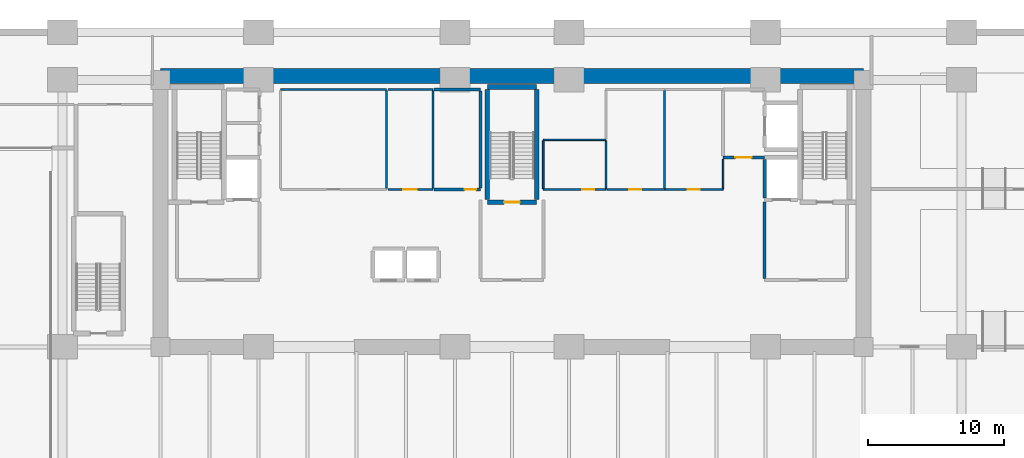
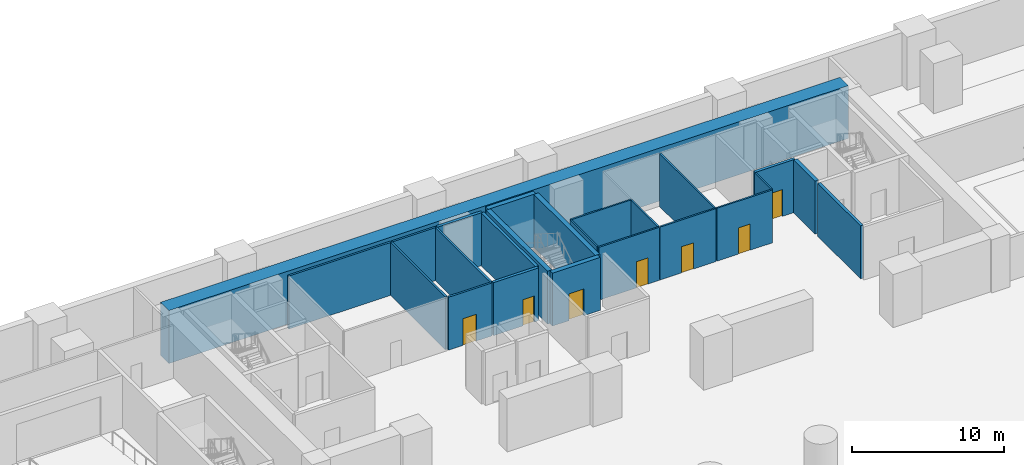
# One storey, part 4 of 9: 24 walls, 7 doors, 7 openings.
"""IFC4 building model written with IfcOpenShell, lengths in metres."""

from ifc_helpers import new_model, si_unit, direction, frame, frame_2d, origin, place, context, subcontext, project, spatial, rectangle, extrude, material, layer, layer_set, type_object, element, fill, save


model = new_model("IFC4")

# Units and contexts
model_context = context("Model", 3, precision=1e-05, world=origin(), true_north=direction((0.0, 1.0)))
body_context = subcontext(model_context, "Body", "Model", "MODEL_VIEW")
ifc_project = project(units=[si_unit("LENGTHUNIT", "METRE"), si_unit("AREAUNIT", "SQUARE_METRE"), si_unit("VOLUMEUNIT", "CUBIC_METRE"), si_unit("PLANEANGLEUNIT", "RADIAN"), si_unit("MASSUNIT", "GRAM", prefix="KILO")], contexts=[model_context])

# Site, building, storey
site_placement = place(None, origin())
site = spatial("IfcSite", under=ifc_project, at=site_placement, CompositionType="ELEMENT")
building_placement = place(site_placement, origin())
building = spatial("IfcBuilding", under=site, at=building_placement, Name="Kaelvorn Grand Hotel", CompositionType="ELEMENT")
storey_placement = place(building_placement, frame((0.0, 0.0, -4.60009765625)))
storey = spatial("IfcBuildingStorey", under=building, at=storey_placement, Name="B01", CompositionType="ELEMENT", Elevation=-4.60009765625)

# Wall
ifc_material_1 = material(Name="Concrete C80/95", Category="concrete")
ifc_layer_1 = layer(ifc_material_1, 1.10009765625)
ifc_layer_set_1 = layer_set([ifc_layer_1], Name="Concrete C80/95")
wall_type_1 = type_object("IfcWallType", Name="WL-CORE-1100-C80", PredefinedType="SHEAR", material=ifc_layer_set_1)
wall_1_placement = place(storey_placement, frame((16.199951171875, 49.300048828125, 0.0), z_axis=(0.0, 0.0, 1.0), x_axis=(1.0, 0.0, 0.0)))
element("IfcWall", 1, at=wall_1_placement, inside=storey, type_object=wall_type_1, Name="B01 Rear-Core North Shear Wall", PredefinedType="SHEAR", context=body_context, shape_type="SweptSolid", body=[
    extrude(rectangle(XDim=51.60009765625, YDim=1.10009765625, at=frame_2d((25.800048828125, 0.0))), origin(), (0.0, 0.0, 1.0), 4.25),
])

# Wall, opening, door
ifc_material_2 = material(Name="Moisture-Resistant Tile & Stud Board")
ifc_layer_2 = layer(ifc_material_2, 0.125)
ifc_layer_set_2 = layer_set([ifc_layer_2], Name="Moisture-Resistant Tile & Stud Board")
wall_type_2 = type_object("IfcWallType", Name="WL-PART-125-WET", PredefinedType="PARTITIONING", material=ifc_layer_set_2)
wall_2_placement = place(storey_placement, frame((44.300048828125, 40.949951171875, 0.0), z_axis=(0.0, 0.0, 1.0), x_axis=(1.0, 0.0, 0.0)))
wall_2 = element("IfcWall", 2, at=wall_2_placement, inside=storey, type_object=wall_type_2, Name="B01 Accessible WC S Partition", PredefinedType="PARTITIONING", context=body_context, shape_type="SweptSolid", body=[
    extrude(rectangle(XDim=4.599853515625, YDim=0.125, at=frame_2d((2.2998046875, 0.0))), origin(), (0.0, 0.0, 1.0), 4.25),
])
opening_1_placement = place(wall_2_placement, frame((2.85009765625, 0.0, 0.0)))
opening_1 = element("IfcOpeningElement", 3, at=opening_1_placement, cuts=wall_2, Name="Opening DI4", PredefinedType="OPENING", context=body_context, shape_type="SweptSolid", body=[
    extrude(rectangle(XDim=0.89990234375, YDim=2.10009765625, at=frame_2d((0.449951171875, 1.050048828125))), frame((0.0, 0.072509765625, 0.0), z_axis=(0.0, -1.0, 0.0), x_axis=(1.0, 0.0, 0.0)), (0.0, 0.0, 1.0), 0.14501953125),
])
ifc_material_3 = material(Name="Timber Veneer Leaf", Category="wood")
door_type_1 = type_object("IfcDoorType", Name="DR-INT-BATH-900x2100", OperationType="NOTDEFINED", PredefinedType="DOOR", material=ifc_material_3)
door_1_placement = place(opening_1_placement, origin())
door_1 = element("IfcDoor", 4, at=door_1_placement, inside=storey, type_object=door_type_1, Name="B01 Accessible WC Door", OperationType="SINGLE_SWING_LEFT", OverallHeight=2.10009765625, OverallWidth=0.89990234375, PredefinedType="DOOR", context=body_context, shape_type="SweptSolid", body=[
    extrude(rectangle(XDim=0.89990234375, YDim=2.10009765625, at=frame_2d((0.449951171875, 1.050048828125))), frame((0.0, 0.02490234375, 0.0), z_axis=(0.0, -1.0, 0.0), x_axis=(1.0, 0.0, 0.0)), (0.0, 0.0, 1.0), 0.050048828125),
])
fill(opening_1, door_1)

# Walls
wall_3_placement = place(storey_placement, frame((44.300048828125, 44.60009765625, 0.0), z_axis=(0.0, 0.0, 1.0), x_axis=(1.0, 0.0, 0.0)))
element("IfcWall", 5, at=wall_3_placement, inside=storey, type_object=wall_type_2, Name="B01 Accessible WC N Partition", PredefinedType="PARTITIONING", context=body_context, shape_type="SweptSolid", body=[
    extrude(rectangle(XDim=4.599853515625, YDim=0.125, at=frame_2d((2.2998046875, 0.0))), origin(), (0.0, 0.0, 1.0), 4.25),
])
for number, where, z_axis, x_axis, name in (
    (6, (44.300048828125, 41.017578125, 0.0), (0.0, 0.0, 1.0), (0.0, 1.0, 0.0), "B01 Accessible WC W Partition"),
    (7, (48.89990234375, 41.017578125, 0.0), (0.0, 0.0, 1.0), (0.0, 1.0, 0.0), "B01 Accessible WC E Partition"),
):
    element("IfcWall", number, at=place(storey_placement, frame(where, z_axis=z_axis, x_axis=x_axis)), inside=storey, type_object=wall_type_2, Name=name, PredefinedType="PARTITIONING", context=body_context, shape_type="SweptSolid", body=[
        extrude(rectangle(XDim=3.514892578125, YDim=0.125, at=frame_2d((1.75732421875, 0.0))), origin(), (0.0, 0.0, 1.0), 4.25),
    ])

# Wall, opening, door
wall_4_placement = place(storey_placement, frame((48.967529296875, 40.949951171875, 0.0), z_axis=(0.0, 0.0, 1.0), x_axis=(1.0, 0.0, 0.0)))
wall_4 = element("IfcWall", 8, at=wall_4_placement, inside=storey, type_object=wall_type_2, Name="B01 Male Public Toilets S Partition", PredefinedType="PARTITIONING", context=body_context, shape_type="SweptSolid", body=[
    extrude(rectangle(XDim=4.232421875, YDim=0.125, at=frame_2d((2.1162109375, 0.0))), origin(), (0.0, 0.0, 1.0), 4.25),
])
opening_2_placement = place(wall_4_placement, frame((1.632568359375, 0.0, 0.0)))
opening_2 = element("IfcOpeningElement", 9, at=opening_2_placement, cuts=wall_4, Name="Opening DI4", PredefinedType="OPENING", context=body_context, shape_type="SweptSolid", body=[
    extrude(rectangle(XDim=0.89990234375, YDim=2.10009765625, at=frame_2d((0.449951171875, 1.050048828125))), frame((0.0, 0.072509765625, 0.0), z_axis=(0.0, -1.0, 0.0), x_axis=(1.0, 0.0, 0.0)), (0.0, 0.0, 1.0), 0.14501953125),
])
door_2_placement = place(opening_2_placement, origin())
door_2 = element("IfcDoor", 10, at=door_2_placement, inside=storey, type_object=door_type_1, Name="B01 Male Public Toilets Door", OperationType="SINGLE_SWING_RIGHT", OverallHeight=2.10009765625, OverallWidth=0.89990234375, PredefinedType="DOOR", context=body_context, shape_type="SweptSolid", body=[
    extrude(rectangle(XDim=0.89990234375, YDim=2.10009765625, at=frame_2d((0.449951171875, 1.050048828125))), frame((0.0, 0.02490234375, 0.0), z_axis=(0.0, -1.0, 0.0), x_axis=(1.0, 0.0, 0.0)), (0.0, 0.0, 1.0), 0.050048828125),
])
fill(opening_2, door_2)

# Wall
wall_5_placement = place(storey_placement, frame((53.199951171875, 41.017578125, 0.0), z_axis=(0.0, 0.0, 1.0), x_axis=(0.0, 1.0, 0.0)))
element("IfcWall", 11, at=wall_5_placement, inside=storey, type_object=wall_type_2, Name="B01 Male Public Toilets E Partition", PredefinedType="PARTITIONING", context=body_context, shape_type="SweptSolid", body=[
    extrude(rectangle(XDim=7.21484375, YDim=0.125, at=frame_2d((3.607421875, 0.0))), origin(), (0.0, 0.0, 1.0), 4.25),
])

# Wall, opening, door
wall_6_placement = place(storey_placement, frame((53.267578125, 40.949951171875, 0.0), z_axis=(0.0, 0.0, 1.0), x_axis=(1.0, 0.0, 0.0)))
wall_6 = element("IfcWall", 12, at=wall_6_placement, inside=storey, type_object=wall_type_2, Name="B01 Female Public Toilets S Partition", PredefinedType="PARTITIONING", context=body_context, shape_type="SweptSolid", body=[
    extrude(rectangle(XDim=4.232421875, YDim=0.125, at=frame_2d((2.1162109375, 0.0))), origin(), (0.0, 0.0, 1.0), 4.25),
])
opening_3_placement = place(wall_6_placement, frame((1.632568359375, 0.0, 0.0)))
opening_3 = element("IfcOpeningElement", 13, at=opening_3_placement, cuts=wall_6, Name="Opening DI4", PredefinedType="OPENING", context=body_context, shape_type="SweptSolid", body=[
    extrude(rectangle(XDim=0.89990234375, YDim=2.10009765625, at=frame_2d((0.449951171875, 1.050048828125))), frame((0.0, 0.072509765625, 0.0), z_axis=(0.0, -1.0, 0.0), x_axis=(1.0, 0.0, 0.0)), (0.0, 0.0, 1.0), 0.14501953125),
])
door_3_placement = place(opening_3_placement, origin())
door_3 = element("IfcDoor", 14, at=door_3_placement, inside=storey, type_object=door_type_1, Name="B01 Female Public Toilets Door", OperationType="SINGLE_SWING_LEFT", OverallHeight=2.10009765625, OverallWidth=0.89990234375, PredefinedType="DOOR", context=body_context, shape_type="SweptSolid", body=[
    extrude(rectangle(XDim=0.89990234375, YDim=2.10009765625, at=frame_2d((0.449951171875, 1.050048828125))), frame((0.0, 0.02490234375, 0.0), z_axis=(0.0, -1.0, 0.0), x_axis=(1.0, 0.0, 0.0)), (0.0, 0.0, 1.0), 0.050048828125),
])
fill(opening_3, door_3)

# Walls
wall_7_placement = place(storey_placement, frame((57.5, 41.017578125, 0.0), z_axis=(0.0, 0.0, 1.0), x_axis=(0.0, 1.0, 0.0)))
element("IfcWall", 15, at=wall_7_placement, inside=storey, type_object=wall_type_2, Name="B01 Female Public Toilets E Partition", PredefinedType="PARTITIONING", context=body_context, shape_type="SweptSolid", body=[
    extrude(rectangle(XDim=2.16748046875, YDim=0.125, at=frame_2d((1.083740234375, 0.0))), origin(), (0.0, 0.0, 1.0), 4.25),
])
ifc_material_4 = material(Name="Acoustic Gypsum & Stud Partition")
ifc_layer_3 = layer(ifc_material_4, 0.14990234375)
ifc_layer_set_3 = layer_set([ifc_layer_3], Name="Acoustic Gypsum & Stud Partition")
wall_type_3 = type_object("IfcWallType", Name="WL-PART-150-EI60", PredefinedType="PARTITIONING", material=ifc_layer_set_3)
wall_8_placement = place(storey_placement, frame((25.0, 48.300048828125, 0.0), z_axis=(0.0, 0.0, 1.0), x_axis=(1.0, 0.0, 0.0)))
element("IfcWall", 16, at=wall_8_placement, inside=storey, type_object=wall_type_3, Name="B01 Housekeeping & Cleaner Store N Partition", PredefinedType="PARTITIONING", context=body_context, shape_type="SweptSolid", body=[
    extrude(rectangle(XDim=7.800048828125, YDim=0.14990234375, at=frame_2d((3.89990234375, 0.0))), origin(), (0.0, 0.0, 1.0), 4.25),
])
wall_9_placement = place(storey_placement, frame((32.800048828125, 41.030029296875, 0.0), z_axis=(0.0, 0.0, 1.0), x_axis=(0.0, 1.0, 0.0)))
element("IfcWall", 17, at=wall_9_placement, inside=storey, type_object=wall_type_3, Name="B01 Housekeeping & Cleaner Store E Partition", PredefinedType="PARTITIONING", context=body_context, shape_type="SweptSolid", body=[
    extrude(rectangle(XDim=7.18994140625, YDim=0.14990234375, at=frame_2d((3.594970703125, 0.0))), origin(), (0.0, 0.0, 1.0), 4.25),
])

# Wall, opening, door
wall_10_placement = place(storey_placement, frame((32.8798828125, 40.949951171875, 0.0), z_axis=(0.0, 0.0, 1.0), x_axis=(1.0, 0.0, 0.0)))
wall_10 = element("IfcWall", 18, at=wall_10_placement, inside=storey, type_object=wall_type_3, Name="B01 Floor Butler Tea Point S Partition", PredefinedType="PARTITIONING", context=body_context, shape_type="SweptSolid", body=[
    extrude(rectangle(XDim=3.320068359375, YDim=0.14990234375, at=frame_2d((1.66015625, 0.0))), origin(), (0.0, 0.0, 1.0), 4.25),
])
opening_4_placement = place(wall_10_placement, frame((1.1201171875, 0.0, 0.0)))
opening_4 = element("IfcOpeningElement", 19, at=opening_4_placement, cuts=wall_10, Name="Opening DI3", PredefinedType="OPENING", context=body_context, shape_type="SweptSolid", body=[
    extrude(rectangle(XDim=1.0, YDim=2.14990234375, at=frame_2d((0.5, 1.074951171875))), frame((0.0, 0.0849609375, 0.0), z_axis=(0.0, -1.0, 0.0), x_axis=(1.0, 0.0, 0.0)), (0.0, 0.0, 1.0), 0.169921875),
])
ifc_material_5 = material(Name="Timber Veneer Fire Leaf", Category="wood")
door_type_2 = type_object("IfcDoorType", Name="DR-INT-GUEST-1000x2150", OperationType="NOTDEFINED", PredefinedType="DOOR", material=ifc_material_5)
door_4_placement = place(opening_4_placement, origin())
door_4 = element("IfcDoor", 20, at=door_4_placement, inside=storey, type_object=door_type_2, Name="B01 Floor Butler Tea Point Door", OperationType="SINGLE_SWING_LEFT", OverallHeight=2.14990234375, OverallWidth=1.0, PredefinedType="DOOR", context=body_context, shape_type="SweptSolid", body=[
    extrude(rectangle(XDim=1.0, YDim=2.14990234375, at=frame_2d((0.5, 1.074951171875))), frame((0.0, 0.02490234375, 0.0), z_axis=(0.0, -1.0, 0.0), x_axis=(1.0, 0.0, 0.0)), (0.0, 0.0, 1.0), 0.050048828125),
])
fill(opening_4, door_4)

# Walls
wall_11_placement = place(storey_placement, frame((32.8798828125, 48.300048828125, 0.0), z_axis=(0.0, 0.0, 1.0), x_axis=(1.0, 0.0, 0.0)))
element("IfcWall", 21, at=wall_11_placement, inside=storey, type_object=wall_type_3, Name="B01 Floor Butler Tea Point N Partition", PredefinedType="PARTITIONING", context=body_context, shape_type="SweptSolid", body=[
    extrude(rectangle(XDim=3.320068359375, YDim=0.14990234375, at=frame_2d((1.66015625, 0.0))), origin(), (0.0, 0.0, 1.0), 4.25),
])
wall_12_placement = place(storey_placement, frame((36.199951171875, 41.030029296875, 0.0), z_axis=(0.0, 0.0, 1.0), x_axis=(0.0, 1.0, 0.0)))
element("IfcWall", 22, at=wall_12_placement, inside=storey, type_object=wall_type_3, Name="B01 Floor Butler Tea Point E Partition", PredefinedType="PARTITIONING", context=body_context, shape_type="SweptSolid", body=[
    extrude(rectangle(XDim=7.18994140625, YDim=0.14990234375, at=frame_2d((3.594970703125, 0.0))), origin(), (0.0, 0.0, 1.0), 4.25),
])
ifc_material_6 = material(Name="Concrete C40/50", Category="concrete")
ifc_layer_4 = layer(ifc_material_6, 0.219970703125)
ifc_layer_set_4 = layer_set([ifc_layer_4], Name="Concrete C40/50")
wall_type_4 = type_object("IfcWallType", Name="WL-PART-220-EI120", PredefinedType="PARTITIONING", material=ifc_layer_set_4)
wall_13_placement = place(storey_placement, frame((60.550048828125, 34.4150390625, 0.0), z_axis=(0.0, 0.0, 1.0), x_axis=(0.0, 1.0, 0.0)))
element("IfcWall", 23, at=wall_13_placement, inside=storey, type_object=wall_type_4, Name="B01 Firefighting Lift Lobby 2 W Partition", PredefinedType="PARTITIONING", context=body_context, shape_type="SweptSolid", body=[
    extrude(rectangle(XDim=5.639892578125, YDim=0.219970703125, at=frame_2d((2.81982421875, 0.0))), origin(), (0.0, 0.0, 1.0), 4.25),
])

# Wall, opening, door
wall_14_placement = place(storey_placement, frame((57.5, 43.300048828125, 0.0), z_axis=(0.0, 0.0, 1.0), x_axis=(1.0, 0.0, 0.0)))
wall_14 = element("IfcWall", 24, at=wall_14_placement, inside=storey, type_object=wall_type_4, Name="B01 Service Lift Lobby S Partition", PredefinedType="PARTITIONING", context=body_context, shape_type="SweptSolid", body=[
    extrude(rectangle(XDim=3.0400390625, YDim=0.219970703125, at=frame_2d((1.52001953125, 0.0))), origin(), (0.0, 0.0, 1.0), 4.25),
])
opening_5_placement = place(wall_14_placement, frame((0.89990234375, 0.0, 0.0)))
opening_5 = element("IfcOpeningElement", 25, at=opening_5_placement, cuts=wall_14, Name="Opening DI2", PredefinedType="OPENING", context=body_context, shape_type="SweptSolid", body=[
    extrude(rectangle(XDim=1.199951171875, YDim=2.14990234375, at=frame_2d((0.60009765625, 1.074951171875))), frame((0.0, 0.1201171875, 0.0), z_axis=(0.0, -1.0, 0.0), x_axis=(1.0, 0.0, 0.0)), (0.0, 0.0, 1.0), 0.239990234375),
])
door_type_3 = type_object("IfcDoorType", Name="DR-INT-FFLOB-1200x2150", OperationType="NOTDEFINED", PredefinedType="DOOR", material=ifc_material_5)
door_5_placement = place(opening_5_placement, origin())
door_5 = element("IfcDoor", 26, at=door_5_placement, inside=storey, type_object=door_type_3, Name="B01 Service Lift Lobby Door", OperationType="SINGLE_SWING_LEFT", OverallHeight=2.14990234375, OverallWidth=1.199951171875, PredefinedType="DOOR", context=body_context, shape_type="SweptSolid", body=[
    extrude(rectangle(XDim=1.199951171875, YDim=2.14990234375, at=frame_2d((0.60009765625, 1.074951171875))), frame((0.0, 0.02490234375, 0.0), z_axis=(0.0, -1.0, 0.0), x_axis=(1.0, 0.0, 0.0)), (0.0, 0.0, 1.0), 0.050048828125),
])
fill(opening_5, door_5)

wall_15_placement = place(storey_placement, frame((36.280029296875, 40.949951171875, 0.0), z_axis=(0.0, 0.0, 1.0), x_axis=(1.0, 0.0, 0.0)))
wall_15 = element("IfcWall", 27, at=wall_15_placement, inside=storey, type_object=wall_type_4, Name="B01 LV Electrical & Metering Room S Partition", PredefinedType="PARTITIONING", context=body_context, shape_type="SweptSolid", body=[
    extrude(rectangle(XDim=3.419921875, YDim=0.219970703125, at=frame_2d((1.7099609375, 0.0))), origin(), (0.0, 0.0, 1.0), 4.25),
])
opening_6_placement = place(wall_15_placement, frame((2.2451171875, 0.0, 0.0)))
opening_6 = element("IfcOpeningElement", 28, at=opening_6_placement, cuts=wall_15, Name="Opening DI7", PredefinedType="OPENING", context=body_context, shape_type="SweptSolid", body=[
    extrude(rectangle(XDim=0.85009765625, YDim=2.10009765625, at=frame_2d((0.425048828125, 1.050048828125))), frame((0.0, 0.1201171875, 0.0), z_axis=(0.0, -1.0, 0.0), x_axis=(1.0, 0.0, 0.0)), (0.0, 0.0, 1.0), 0.239990234375),
])
ifc_material_7 = material(Name="Powder-Coated Steel Leaf", Category="steel")
door_type_4 = type_object("IfcDoorType", Name="DR-INT-RISER-850x2100", OperationType="NOTDEFINED", PredefinedType="DOOR", material=ifc_material_7)
door_6_placement = place(opening_6_placement, origin())
door_6 = element("IfcDoor", 29, at=door_6_placement, inside=storey, type_object=door_type_4, Name="B01 LV Electrical & Metering Room Door", OperationType="SINGLE_SWING_RIGHT", OverallHeight=2.10009765625, OverallWidth=0.85009765625, PredefinedType="DOOR", context=body_context, shape_type="SweptSolid", body=[
    extrude(rectangle(XDim=0.85009765625, YDim=2.10009765625, at=frame_2d((0.425048828125, 1.050048828125))), frame((0.0, 0.02490234375, 0.0), z_axis=(0.0, -1.0, 0.0), x_axis=(1.0, 0.0, 0.0)), (0.0, 0.0, 1.0), 0.050048828125),
])
fill(opening_6, door_6)

# Walls
wall_16_placement = place(storey_placement, frame((36.280029296875, 48.300048828125, 0.0), z_axis=(0.0, 0.0, 1.0), x_axis=(1.0, 0.0, 0.0)))
element("IfcWall", 30, at=wall_16_placement, inside=storey, type_object=wall_type_4, Name="B01 LV Electrical & Metering Room N Partition", PredefinedType="PARTITIONING", context=body_context, shape_type="SweptSolid", body=[
    extrude(rectangle(XDim=3.419921875, YDim=0.219970703125, at=frame_2d((1.7099609375, 0.0))), origin(), (0.0, 0.0, 1.0), 4.25),
])
wall_17_placement = place(storey_placement, frame((39.699951171875, 41.06494140625, 0.0), z_axis=(0.0, 0.0, 1.0), x_axis=(0.0, 1.0, 0.0)))
element("IfcWall", 31, at=wall_17_placement, inside=storey, type_object=wall_type_4, Name="B01 LV Electrical & Metering Room E Partition", PredefinedType="PARTITIONING", context=body_context, shape_type="SweptSolid", body=[
    extrude(rectangle(XDim=7.1201171875, YDim=0.219970703125, at=frame_2d((3.56005859375, 0.0))), origin(), (0.0, 0.0, 1.0), 4.25),
])
ifc_material_8 = material(Name="Concrete C50/60", Category="concrete")
ifc_layer_5 = layer(ifc_material_8, 0.280029296875)
ifc_layer_set_5 = layer_set([ifc_layer_5], Name="Concrete C50/60")
wall_type_5 = type_object("IfcWallType", Name="WL-SHAFT-280-C50", PredefinedType="SHEAR", material=ifc_layer_set_5)
wall_18_placement = place(storey_placement, frame((60.550048828125, 40.344970703125, 0.0), z_axis=(0.0, 0.0, 1.0), x_axis=(0.0, 1.0, 0.0)))
element("IfcWall", 32, at=wall_18_placement, inside=storey, type_object=wall_type_5, Name="B01 Lift FFL2 Shaft West Wall", PredefinedType="SHEAR", context=body_context, shape_type="SweptSolid", body=[
    extrude(rectangle(XDim=2.81005859375, YDim=0.280029296875, at=frame_2d((1.405029296875, 0.0))), origin(), (0.0, 0.0, 1.0), 4.25),
])

# Wall, opening, door
ifc_material_9 = material(Name="Concrete C60/75", Category="concrete")
ifc_layer_6 = layer(ifc_material_9, 0.35009765625)
ifc_layer_set_6 = layer_set([ifc_layer_6], Name="Concrete C60/75")
wall_type_6 = type_object("IfcWallType", Name="WL-SHAFT-350-C60", PredefinedType="SHEAR", material=ifc_layer_set_6)
wall_19_placement = place(storey_placement, frame((40.18505859375, 40.02490234375, 0.0), z_axis=(0.0, 0.0, 1.0), x_axis=(1.0, 0.0, 0.0)))
wall_19 = element("IfcWall", 33, at=wall_19_placement, inside=storey, type_object=wall_type_6, Name="B01 ST2 Stair Shaft South Wall", PredefinedType="SHEAR", context=body_context, shape_type="SweptSolid", body=[
    extrude(rectangle(XDim=3.6298828125, YDim=0.35009765625, at=frame_2d((1.81494140625, 0.0))), origin(), (0.0, 0.0, 1.0), 4.25),
])
opening_7_placement = place(wall_19_placement, frame((1.239990234375, 0.0, 0.0)))
opening_7 = element("IfcOpeningElement", 34, at=opening_7_placement, cuts=wall_19, Name="Opening DI1", PredefinedType="OPENING", context=body_context, shape_type="SweptSolid", body=[
    extrude(rectangle(XDim=1.14990234375, YDim=2.14990234375, at=frame_2d((0.574951171875, 1.074951171875))), frame((0.0, 0.18505859375, 0.0), z_axis=(0.0, -1.0, 0.0), x_axis=(1.0, 0.0, 0.0)), (0.0, 0.0, 1.0), 0.3701171875),
])
door_type_5 = type_object("IfcDoorType", Name="DR-INT-STAIR-1150x2150", OperationType="NOTDEFINED", PredefinedType="DOOR", material=ifc_material_5)
door_7_placement = place(opening_7_placement, origin())
door_7 = element("IfcDoor", 35, at=door_7_placement, inside=storey, type_object=door_type_5, Name="B01 ST2 Exit Stair Fire Door", OperationType="SINGLE_SWING_LEFT", OverallHeight=2.14990234375, OverallWidth=1.14990234375, PredefinedType="DOOR", context=body_context, shape_type="SweptSolid", body=[
    extrude(rectangle(XDim=1.14990234375, YDim=2.14990234375, at=frame_2d((0.574951171875, 1.074951171875))), frame((0.0, 0.02490234375, 0.0), z_axis=(0.0, -1.0, 0.0), x_axis=(1.0, 0.0, 0.0)), (0.0, 0.0, 1.0), 0.050048828125),
])
fill(opening_7, door_7)

# Walls
wall_20_placement = place(storey_placement, frame((40.18505859375, 48.47509765625, 0.0), z_axis=(0.0, 0.0, 1.0), x_axis=(1.0, 0.0, 0.0)))
element("IfcWall", 36, at=wall_20_placement, inside=storey, type_object=wall_type_6, Name="B01 ST2 Stair Shaft North Wall", PredefinedType="SHEAR", context=body_context, shape_type="SweptSolid", body=[
    extrude(rectangle(XDim=3.6298828125, YDim=0.35009765625, at=frame_2d((1.81494140625, 0.0))), origin(), (0.0, 0.0, 1.0), 4.25),
])
for number, where, z_axis, x_axis, name in (
    (37, (40.18505859375, 40.205078125, 0.0), (0.0, 0.0, 1.0), (0.0, 1.0, 0.0), "B01 ST2 Stair Shaft West Wall"),
    (38, (43.81494140625, 40.205078125, 0.0), (0.0, 0.0, 1.0), (0.0, 1.0, 0.0), "B01 ST2 Stair Shaft East Wall"),
):
    element("IfcWall", number, at=place(storey_placement, frame(where, z_axis=z_axis, x_axis=x_axis)), inside=storey, type_object=wall_type_6, Name=name, PredefinedType="SHEAR", context=body_context, shape_type="SweptSolid", body=[
        extrude(rectangle(XDim=8.08984375, YDim=0.35009765625, at=frame_2d((4.044921875, 0.0))), origin(), (0.0, 0.0, 1.0), 4.25),
    ])

save(model, "model.ifc")
